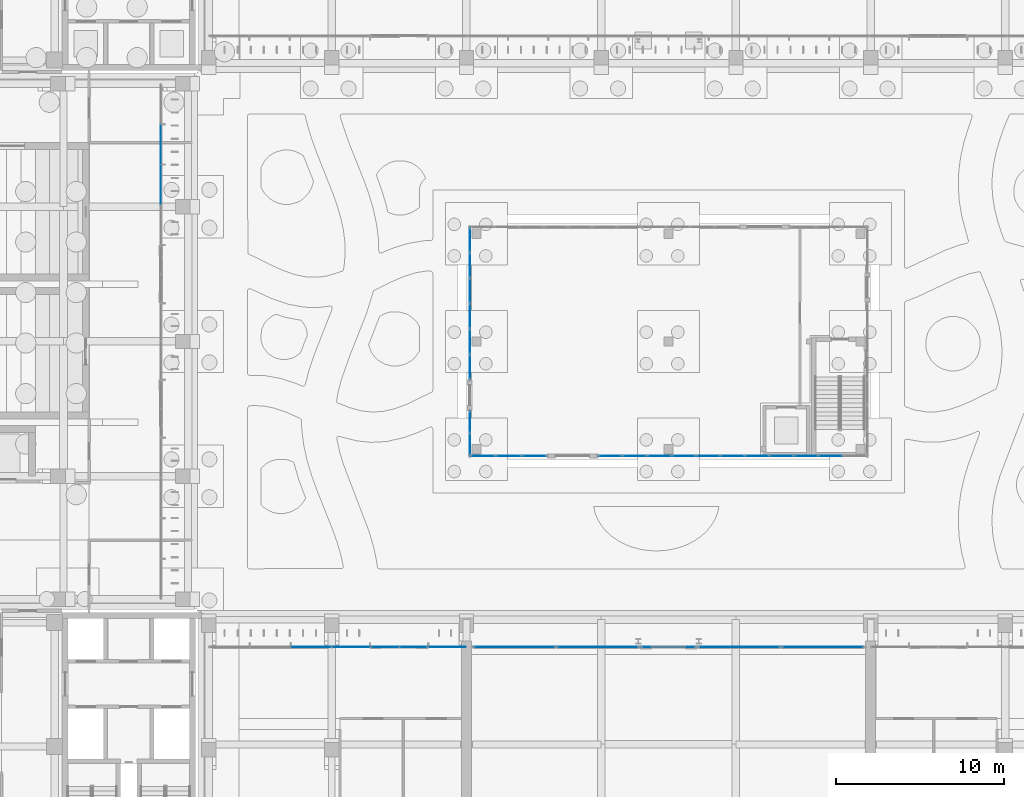
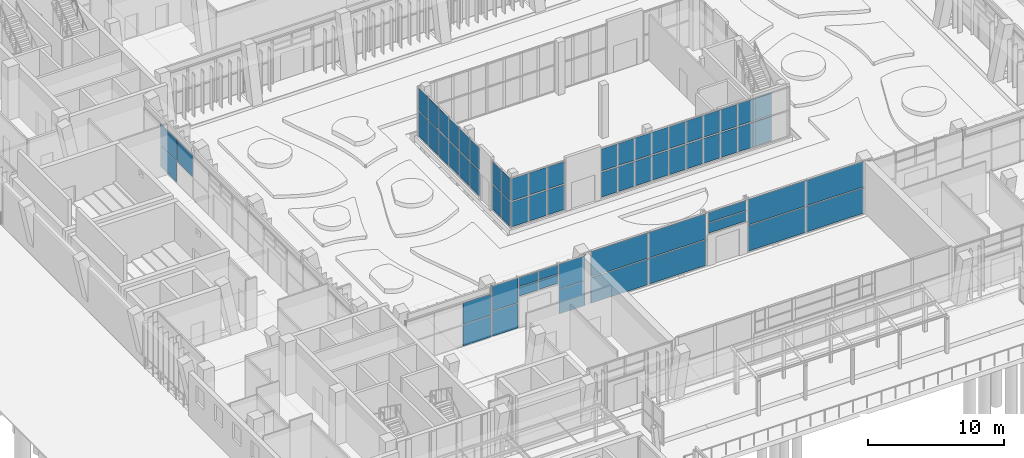
# One storey, part 96 of 144: 65 plates, 12 elements without a shape of their own.
"""IFC4 building model written with IfcOpenShell, lengths in metres."""

from ifc_helpers import new_model, si_unit, direction, frame, origin, origin_2d, place, context, subcontext, project, spatial, rectangle, extrude, material, layer, layer_set, type_object, element, aggregate, save


model = new_model("IFC4")

# Units and contexts
model_context = context("Model", 3, precision=1e-05, world=origin(), true_north=direction((0.0, 1.0)))
body_context = subcontext(model_context, "Body", "Model", "MODEL_VIEW")
ifc_project = project(units=[si_unit("LENGTHUNIT", "METRE"), si_unit("AREAUNIT", "SQUARE_METRE"), si_unit("VOLUMEUNIT", "CUBIC_METRE"), si_unit("PLANEANGLEUNIT", "RADIAN"), si_unit("MASSUNIT", "GRAM", prefix="KILO")], contexts=[model_context])

# Site, building, storey
site_placement = place(None, origin())
site = spatial("IfcSite", under=ifc_project, at=site_placement, CompositionType="ELEMENT")
building_placement = place(site_placement, origin())
building = spatial("IfcBuilding", under=site, at=building_placement, Name="Lantern Court Media Centre", CompositionType="ELEMENT")
storey_placement = place(building_placement, origin())
storey = spatial("IfcBuildingStorey", under=building, at=storey_placement, Name="L00", CompositionType="ELEMENT", Elevation=0.0)

# Curtain wall, plates
ifc_material_1 = material(Name="Curtain wall bay 2400")
curtain_wall_type_1 = type_object("IfcCurtainWallType", Name="Curtain wall bay 2400", PredefinedType="NOTDEFINED", material=ifc_material_1)
curtain_wall_1_placement = place(storey_placement, origin())
curtain_wall_1 = element("IfcCurtainWall", 1, at=curtain_wall_1_placement, inside=storey, type_object=curtain_wall_type_1, Name="Curtain wall S inner L00", PredefinedType="NOTDEFINED")
ifc_material_2 = material(Name="Low-iron double glazed unit glass", Category="glass")
ifc_layer_1 = layer(ifc_material_2, 0.02392578125)
ifc_layer_set_1 = layer_set([ifc_layer_1], Name="Low-iron double glazed unit glass")
plate_type_1 = type_object("IfcPlateType", Name="Curtain wall glazing unit 24", PredefinedType="CURTAIN_PANEL", material=ifc_layer_set_1)
plate_1_placement = place(storey_placement, frame((30.770751953125, 61.85009765625, 0.050048828125), z_axis=(0.0, 0.0, 1.0), x_axis=(1.0, 0.0, 0.0)))
plate_1 = element("IfcPlate", 2, at=plate_1_placement, type_object=plate_type_1, Name="CW2 panel 3.1", PredefinedType="CURTAIN_PANEL", context=body_context, shape_type="SweptSolid", body=[
    extrude(rectangle(XDim=2.3583984375, YDim=0.02392578125, at=origin_2d()), origin(), (0.0, 0.0, 1.0), 1.89990234375),
])
plate_2_placement = place(storey_placement, frame((30.770751953125, 61.85009765625, 2.0), z_axis=(0.0, 0.0, 1.0), x_axis=(1.0, 0.0, 0.0)))
plate_2 = element("IfcPlate", 3, at=plate_2_placement, type_object=plate_type_1, Name="CW2 panel 3.2", PredefinedType="CURTAIN_PANEL", context=body_context, shape_type="SweptSolid", body=[
    extrude(rectangle(XDim=2.3583984375, YDim=0.02392578125, at=origin_2d()), origin(), (0.0, 0.0, 1.0), 1.89990234375),
])
aggregate(curtain_wall_1, [plate_1, plate_2])

curtain_wall_2_placement = place(storey_placement, origin())
curtain_wall_2 = element("IfcCurtainWall", 4, at=curtain_wall_2_placement, inside=storey, type_object=curtain_wall_type_1, Name="Curtain wall S inner L00", PredefinedType="NOTDEFINED")
plate_3_placement = place(storey_placement, frame((33.14990234375, 61.85009765625, 0.0498046875), z_axis=(0.0, 0.0, 1.0), x_axis=(1.0, 0.0, 0.0)))
plate_3 = element("IfcPlate", 5, at=plate_3_placement, type_object=plate_type_1, Name="CW2 panel 1.1", PredefinedType="CURTAIN_PANEL", context=body_context, shape_type="SweptSolid", body=[
    extrude(rectangle(XDim=2.199951171875, YDim=0.02392578125, at=origin_2d()), origin(), (0.0, 0.0, 1.0), 2.215087890625),
])
plate_4_placement = place(storey_placement, frame((33.14990234375, 61.85009765625, 2.31494140625), z_axis=(0.0, 0.0, 1.0), x_axis=(1.0, 0.0, 0.0)))
plate_4 = element("IfcPlate", 6, at=plate_4_placement, type_object=plate_type_1, Name="CW2 panel 1.2", PredefinedType="CURTAIN_PANEL", context=body_context, shape_type="SweptSolid", body=[
    extrude(rectangle(XDim=2.199951171875, YDim=0.02392578125, at=origin_2d()), origin(), (0.0, 0.0, 1.0), 2.215087890625),
])
aggregate(curtain_wall_2, [plate_3, plate_4])

curtain_wall_3_placement = place(storey_placement, origin())
curtain_wall_3 = element("IfcCurtainWall", 7, at=curtain_wall_3_placement, inside=storey, type_object=curtain_wall_type_1, Name="Curtain wall S inner L00", PredefinedType="NOTDEFINED")
plate_5_placement = place(storey_placement, frame((38.85009765625, 61.85009765625, 0.0498046875), z_axis=(0.0, 0.0, 1.0), x_axis=(1.0, 0.0, 0.0)))
plate_5 = element("IfcPlate", 8, at=plate_5_placement, type_object=plate_type_1, Name="CW2 panel 1.1", PredefinedType="CURTAIN_PANEL", context=body_context, shape_type="SweptSolid", body=[
    extrude(rectangle(XDim=2.199951171875, YDim=0.02392578125, at=origin_2d()), origin(), (0.0, 0.0, 1.0), 2.215087890625),
])
plate_6_placement = place(storey_placement, frame((38.85009765625, 61.85009765625, 2.31494140625), z_axis=(0.0, 0.0, 1.0), x_axis=(1.0, 0.0, 0.0)))
plate_6 = element("IfcPlate", 9, at=plate_6_placement, type_object=plate_type_1, Name="CW2 panel 1.2", PredefinedType="CURTAIN_PANEL", context=body_context, shape_type="SweptSolid", body=[
    extrude(rectangle(XDim=2.199951171875, YDim=0.02392578125, at=origin_2d()), origin(), (0.0, 0.0, 1.0), 2.215087890625),
])
aggregate(curtain_wall_3, [plate_5, plate_6])

curtain_wall_4_placement = place(storey_placement, origin())
curtain_wall_4 = element("IfcCurtainWall", 10, at=curtain_wall_4_placement, inside=storey, type_object=curtain_wall_type_1, Name="Curtain wall W inner L00", PredefinedType="NOTDEFINED")
plate_7_placement = place(storey_placement, frame((21.85009765625, 89.300048828125, 2.0), z_axis=(0.0, 0.0, 1.0), x_axis=(0.0, 1.0, 0.0)))
plate_7 = element("IfcPlate", 11, at=plate_7_placement, type_object=plate_type_1, Name="CW2 panel 2.2", PredefinedType="CURTAIN_PANEL", context=body_context, shape_type="SweptSolid", body=[
    extrude(rectangle(XDim=2.35009765625, YDim=0.02392578125, at=origin_2d()), origin(), (0.0, 0.0, 1.0), 1.89990234375),
])
plate_8_placement = place(storey_placement, frame((21.85009765625, 91.699951171875, 0.050048828125), z_axis=(0.0, 0.0, 1.0), x_axis=(0.0, 1.0, 0.0)))
plate_8 = element("IfcPlate", 12, at=plate_8_placement, type_object=plate_type_1, Name="CW2 panel 3.1", PredefinedType="CURTAIN_PANEL", context=body_context, shape_type="SweptSolid", body=[
    extrude(rectangle(XDim=2.35009765625, YDim=0.02392578125, at=origin_2d()), origin(), (0.0, 0.0, 1.0), 1.89990234375),
])
plate_9_placement = place(storey_placement, frame((21.85009765625, 91.699951171875, 2.0), z_axis=(0.0, 0.0, 1.0), x_axis=(0.0, 1.0, 0.0)))
plate_9 = element("IfcPlate", 13, at=plate_9_placement, type_object=plate_type_1, Name="CW2 panel 3.2", PredefinedType="CURTAIN_PANEL", context=body_context, shape_type="SweptSolid", body=[
    extrude(rectangle(XDim=2.35009765625, YDim=0.02392578125, at=origin_2d()), origin(), (0.0, 0.0, 1.0), 1.89990234375),
])
aggregate(curtain_wall_4, [plate_7, plate_8, plate_9])

ifc_material_3 = material(Name="Curtain wall bay 1700")
curtain_wall_type_2 = type_object("IfcCurtainWallType", Name="Curtain wall bay 1700", PredefinedType="NOTDEFINED", material=ifc_material_3)
curtain_wall_5_placement = place(storey_placement, origin())
curtain_wall_5 = element("IfcCurtainWall", 14, at=curtain_wall_5_placement, inside=storey, type_object=curtain_wall_type_2, Name="Curtain wall S inner L00", PredefinedType="NOTDEFINED")
ifc_layer_2 = layer(ifc_material_2, 0.028076171875)
ifc_layer_set_2 = layer_set([ifc_layer_2], Name="Low-iron double glazed unit glass")
plate_type_2 = type_object("IfcPlateType", Name="Curtain wall glazing unit 28", PredefinedType="CURTAIN_PANEL", material=ifc_layer_set_2)
plate_10_placement = place(storey_placement, frame((35.1650390625, 61.85009765625, 2.85986328125), z_axis=(0.0, 0.0, 1.0), x_axis=(1.0, 0.0, 0.0)))
plate_10 = element("IfcPlate", 15, at=plate_10_placement, type_object=plate_type_2, Name="CW4 panel 1.1", PredefinedType="CURTAIN_PANEL", context=body_context, shape_type="SweptSolid", body=[
    extrude(rectangle(XDim=1.610107421875, YDim=0.028076171875, at=origin_2d()), origin(), (0.0, 0.0, 1.0), 0.800048828125),
])
plate_11_placement = place(storey_placement, frame((35.1650390625, 61.85009765625, 3.72021484375), z_axis=(0.0, 0.0, 1.0), x_axis=(1.0, 0.0, 0.0)))
plate_11 = element("IfcPlate", 16, at=plate_11_placement, type_object=plate_type_2, Name="CW4 panel 1.2", PredefinedType="CURTAIN_PANEL", context=body_context, shape_type="SweptSolid", body=[
    extrude(rectangle(XDim=1.610107421875, YDim=0.028076171875, at=origin_2d()), origin(), (0.0, 0.0, 1.0), 0.800048828125),
])
plate_12_placement = place(storey_placement, frame((36.8349609375, 61.85009765625, 2.85986328125), z_axis=(0.0, 0.0, 1.0), x_axis=(1.0, 0.0, 0.0)))
plate_12 = element("IfcPlate", 17, at=plate_12_placement, type_object=plate_type_2, Name="CW4 panel 2.1", PredefinedType="CURTAIN_PANEL", context=body_context, shape_type="SweptSolid", body=[
    extrude(rectangle(XDim=1.610107421875, YDim=0.028076171875, at=origin_2d()), origin(), (0.0, 0.0, 1.0), 0.800048828125),
])
plate_13_placement = place(storey_placement, frame((36.8349609375, 61.85009765625, 3.72021484375), z_axis=(0.0, 0.0, 1.0), x_axis=(1.0, 0.0, 0.0)))
plate_13 = element("IfcPlate", 18, at=plate_13_placement, type_object=plate_type_2, Name="CW4 panel 2.2", PredefinedType="CURTAIN_PANEL", context=body_context, shape_type="SweptSolid", body=[
    extrude(rectangle(XDim=1.610107421875, YDim=0.028076171875, at=origin_2d()), origin(), (0.0, 0.0, 1.0), 0.800048828125),
])
aggregate(curtain_wall_5, [plate_10, plate_11, plate_12, plate_13])

ifc_material_4 = material(Name="Curtain wall bay 4000")
curtain_wall_type_3 = type_object("IfcCurtainWallType", Name="Curtain wall bay 4000", PredefinedType="NOTDEFINED", material=ifc_material_4)
curtain_wall_6_placement = place(storey_placement, origin())
curtain_wall_6 = element("IfcCurtainWall", 19, at=curtain_wall_6_placement, inside=storey, type_object=curtain_wall_type_3, Name="Curtain wall S inner L00", PredefinedType="NOTDEFINED")
ifc_material_5 = material(Name="Laminated low-iron glass", Category="glass")
ifc_layer_3 = layer(ifc_material_5, 0.0400390625)
ifc_layer_set_3 = layer_set([ifc_layer_3], Name="Laminated low-iron glass")
plate_type_3 = type_object("IfcPlateType", Name="Curtain wall glazing unit 40", PredefinedType="CURTAIN_PANEL", material=ifc_layer_set_3)
plate_14_placement = place(storey_placement, frame((42.857421875, 61.85009765625, 0.080078125), z_axis=(0.0, 0.0, 1.0), x_axis=(1.0, 0.0, 0.0)))
plate_14 = element("IfcPlate", 20, at=plate_14_placement, type_object=plate_type_3, Name="CW3 panel 1.1", PredefinedType="CURTAIN_PANEL", context=body_context, shape_type="SweptSolid", body=[
    extrude(rectangle(XDim=4.85498046875, YDim=0.0400390625, at=origin_2d()), origin(), (0.0, 0.0, 1.0), 2.280029296875),
])
plate_15_placement = place(storey_placement, frame((42.857421875, 61.85009765625, 2.43994140625), z_axis=(0.0, 0.0, 1.0), x_axis=(1.0, 0.0, 0.0)))
plate_15 = element("IfcPlate", 21, at=plate_15_placement, type_object=plate_type_3, Name="CW3 panel 1.2", PredefinedType="CURTAIN_PANEL", context=body_context, shape_type="SweptSolid", body=[
    extrude(rectangle(XDim=4.85498046875, YDim=0.0400390625, at=origin_2d()), origin(), (0.0, 0.0, 1.0), 2.280029296875),
])
plate_16_placement = place(storey_placement, frame((47.79248046875, 61.85009765625, 0.080078125), z_axis=(0.0, 0.0, 1.0), x_axis=(1.0, 0.0, 0.0)))
plate_16 = element("IfcPlate", 22, at=plate_16_placement, type_object=plate_type_3, Name="CW3 panel 2.1", PredefinedType="CURTAIN_PANEL", context=body_context, shape_type="SweptSolid", body=[
    extrude(rectangle(XDim=4.85498046875, YDim=0.0400390625, at=origin_2d()), origin(), (0.0, 0.0, 1.0), 2.280029296875),
])
plate_17_placement = place(storey_placement, frame((47.79248046875, 61.85009765625, 2.43994140625), z_axis=(0.0, 0.0, 1.0), x_axis=(1.0, 0.0, 0.0)))
plate_17 = element("IfcPlate", 23, at=plate_17_placement, type_object=plate_type_3, Name="CW3 panel 2.2", PredefinedType="CURTAIN_PANEL", context=body_context, shape_type="SweptSolid", body=[
    extrude(rectangle(XDim=4.85498046875, YDim=0.0400390625, at=origin_2d()), origin(), (0.0, 0.0, 1.0), 2.280029296875),
])
aggregate(curtain_wall_6, [plate_14, plate_15, plate_16, plate_17])

curtain_wall_7_placement = place(storey_placement, origin())
curtain_wall_7 = element("IfcCurtainWall", 24, at=curtain_wall_7_placement, inside=storey, type_object=curtain_wall_type_3, Name="Curtain wall S inner L00", PredefinedType="NOTDEFINED")
plate_18_placement = place(storey_placement, frame((56.20751953125, 61.85009765625, 0.080078125), z_axis=(0.0, 0.0, 1.0), x_axis=(1.0, 0.0, 0.0)))
plate_18 = element("IfcPlate", 25, at=plate_18_placement, type_object=plate_type_3, Name="CW3 panel 1.1", PredefinedType="CURTAIN_PANEL", context=body_context, shape_type="SweptSolid", body=[
    extrude(rectangle(XDim=4.85498046875, YDim=0.0400390625, at=origin_2d()), origin(), (0.0, 0.0, 1.0), 2.280029296875),
])
plate_19_placement = place(storey_placement, frame((56.20751953125, 61.85009765625, 2.43994140625), z_axis=(0.0, 0.0, 1.0), x_axis=(1.0, 0.0, 0.0)))
plate_19 = element("IfcPlate", 26, at=plate_19_placement, type_object=plate_type_3, Name="CW3 panel 1.2", PredefinedType="CURTAIN_PANEL", context=body_context, shape_type="SweptSolid", body=[
    extrude(rectangle(XDim=4.85498046875, YDim=0.0400390625, at=origin_2d()), origin(), (0.0, 0.0, 1.0), 2.280029296875),
])
plate_20_placement = place(storey_placement, frame((61.142578125, 61.85009765625, 0.080078125), z_axis=(0.0, 0.0, 1.0), x_axis=(1.0, 0.0, 0.0)))
plate_20 = element("IfcPlate", 27, at=plate_20_placement, type_object=plate_type_3, Name="CW3 panel 2.1", PredefinedType="CURTAIN_PANEL", context=body_context, shape_type="SweptSolid", body=[
    extrude(rectangle(XDim=4.85498046875, YDim=0.0400390625, at=origin_2d()), origin(), (0.0, 0.0, 1.0), 2.280029296875),
])
plate_21_placement = place(storey_placement, frame((61.142578125, 61.85009765625, 2.43994140625), z_axis=(0.0, 0.0, 1.0), x_axis=(1.0, 0.0, 0.0)))
plate_21 = element("IfcPlate", 28, at=plate_21_placement, type_object=plate_type_3, Name="CW3 panel 2.2", PredefinedType="CURTAIN_PANEL", context=body_context, shape_type="SweptSolid", body=[
    extrude(rectangle(XDim=4.85498046875, YDim=0.0400390625, at=origin_2d()), origin(), (0.0, 0.0, 1.0), 2.280029296875),
])
aggregate(curtain_wall_7, [plate_18, plate_19, plate_20, plate_21])

curtain_wall_8_placement = place(storey_placement, origin())
curtain_wall_8 = element("IfcCurtainWall", 29, at=curtain_wall_8_placement, inside=storey, type_object=curtain_wall_type_3, Name="Curtain wall S inner L00", PredefinedType="NOTDEFINED")
plate_22_placement = place(storey_placement, frame((52.0, 61.85009765625, 2.880126953125), z_axis=(0.0, 0.0, 1.0), x_axis=(1.0, 0.0, 0.0)))
plate_22 = element("IfcPlate", 30, at=plate_22_placement, type_object=plate_type_3, Name="CW3 panel 1.1", PredefinedType="CURTAIN_PANEL", context=body_context, shape_type="SweptSolid", body=[
    extrude(rectangle(XDim=3.239990234375, YDim=0.0400390625, at=origin_2d()), origin(), (0.0, 0.0, 1.0), 0.8798828125),
])
plate_23_placement = place(storey_placement, frame((52.0, 61.85009765625, 3.840087890625), z_axis=(0.0, 0.0, 1.0), x_axis=(1.0, 0.0, 0.0)))
plate_23 = element("IfcPlate", 31, at=plate_23_placement, type_object=plate_type_3, Name="CW3 panel 1.2", PredefinedType="CURTAIN_PANEL", context=body_context, shape_type="SweptSolid", body=[
    extrude(rectangle(XDim=3.239990234375, YDim=0.0400390625, at=origin_2d()), origin(), (0.0, 0.0, 1.0), 0.8798828125),
])
aggregate(curtain_wall_8, [plate_22, plate_23])

ifc_material_6 = material(Name="Aluminium and glass", Category="aluminium")
ifc_layer_4 = layer(ifc_material_6, 0.14990234375)
ifc_layer_set_4 = layer_set([ifc_layer_4], Name="Aluminium and glass")
curtain_wall_type_4 = type_object("IfcCurtainWallType", Name="Hall lancet glazing", PredefinedType="NOTDEFINED", material=ifc_layer_set_4)
curtain_wall_9_placement = place(storey_placement, origin())
curtain_wall_9 = element("IfcCurtainWall", 32, at=curtain_wall_9_placement, inside=storey, type_object=curtain_wall_type_4, Name="Press box glazing S 1", PredefinedType="NOTDEFINED")
ifc_material_7 = material(Name="Laminated glass 6+6", Category="glass")
ifc_layer_5 = layer(ifc_material_7, 0.028076171875)
ifc_layer_set_5 = layer_set([ifc_layer_5], Name="Laminated glass 6+6")
plate_type_4 = type_object("IfcPlateType", Name="HP", PredefinedType="CURTAIN_PANEL", material=ifc_layer_set_5)
plate_24_placement = place(storey_placement, frame((40.981689453125, 73.199951171875, 0.1201171875), z_axis=(0.0, 0.0, 1.0), x_axis=(1.0, 0.0, 0.0)))
plate_24 = element("IfcPlate", 33, at=plate_24_placement, type_object=plate_type_4, Name="HCW-PS1 panel 1.1", PredefinedType="CURTAIN_PANEL", context=body_context, shape_type="SweptSolid", body=[
    extrude(rectangle(XDim=1.443359375, YDim=0.028076171875, at=origin_2d()), origin(), (0.0, 0.0, 1.0), 2.219970703125),
])
plate_25_placement = place(storey_placement, frame((40.981689453125, 73.199951171875, 2.4599609375), z_axis=(0.0, 0.0, 1.0), x_axis=(1.0, 0.0, 0.0)))
plate_25 = element("IfcPlate", 34, at=plate_25_placement, type_object=plate_type_4, Name="HCW-PS1 panel 1.2", PredefinedType="CURTAIN_PANEL", context=body_context, shape_type="SweptSolid", body=[
    extrude(rectangle(XDim=1.443359375, YDim=0.028076171875, at=origin_2d()), origin(), (0.0, 0.0, 1.0), 1.969970703125),
])
plate_26_placement = place(storey_placement, frame((42.5, 73.199951171875, 0.1201171875), z_axis=(0.0, 0.0, 1.0), x_axis=(1.0, 0.0, 0.0)))
plate_26 = element("IfcPlate", 35, at=plate_26_placement, type_object=plate_type_4, Name="HCW-PS1 panel 2.1", PredefinedType="CURTAIN_PANEL", context=body_context, shape_type="SweptSolid", body=[
    extrude(rectangle(XDim=1.473388671875, YDim=0.028076171875, at=origin_2d()), origin(), (0.0, 0.0, 1.0), 2.219970703125),
])
plate_27_placement = place(storey_placement, frame((42.5, 73.199951171875, 2.4599609375), z_axis=(0.0, 0.0, 1.0), x_axis=(1.0, 0.0, 0.0)))
plate_27 = element("IfcPlate", 36, at=plate_27_placement, type_object=plate_type_4, Name="HCW-PS1 panel 2.2", PredefinedType="CURTAIN_PANEL", context=body_context, shape_type="SweptSolid", body=[
    extrude(rectangle(XDim=1.473388671875, YDim=0.028076171875, at=origin_2d()), origin(), (0.0, 0.0, 1.0), 1.969970703125),
])
plate_28_placement = place(storey_placement, frame((44.018310546875, 73.199951171875, 0.1201171875), z_axis=(0.0, 0.0, 1.0), x_axis=(1.0, 0.0, 0.0)))
plate_28 = element("IfcPlate", 37, at=plate_28_placement, type_object=plate_type_4, Name="HCW-PS1 panel 3.1", PredefinedType="CURTAIN_PANEL", context=body_context, shape_type="SweptSolid", body=[
    extrude(rectangle(XDim=1.443359375, YDim=0.028076171875, at=origin_2d()), origin(), (0.0, 0.0, 1.0), 2.219970703125),
])
plate_29_placement = place(storey_placement, frame((44.018310546875, 73.199951171875, 2.4599609375), z_axis=(0.0, 0.0, 1.0), x_axis=(1.0, 0.0, 0.0)))
plate_29 = element("IfcPlate", 38, at=plate_29_placement, type_object=plate_type_4, Name="HCW-PS1 panel 3.2", PredefinedType="CURTAIN_PANEL", context=body_context, shape_type="SweptSolid", body=[
    extrude(rectangle(XDim=1.443359375, YDim=0.028076171875, at=origin_2d()), origin(), (0.0, 0.0, 1.0), 1.969970703125),
])
aggregate(curtain_wall_9, [plate_24, plate_25, plate_26, plate_27, plate_28, plate_29])

curtain_wall_10_placement = place(storey_placement, origin())
curtain_wall_10 = element("IfcCurtainWall", 39, at=curtain_wall_10_placement, inside=storey, type_object=curtain_wall_type_4, Name="Press box glazing S 2", PredefinedType="NOTDEFINED")
plate_30_placement = place(storey_placement, frame((48.542236328125, 73.199951171875, 0.1201171875), z_axis=(0.0, 0.0, 1.0), x_axis=(1.0, 0.0, 0.0)))
plate_30 = element("IfcPlate", 40, at=plate_30_placement, type_object=plate_type_4, Name="HCW-PS2 panel 1.1", PredefinedType="CURTAIN_PANEL", context=body_context, shape_type="SweptSolid", body=[
    extrude(rectangle(XDim=1.364501953125, YDim=0.028076171875, at=origin_2d()), origin(), (0.0, 0.0, 1.0), 2.219970703125),
])
plate_31_placement = place(storey_placement, frame((48.542236328125, 73.199951171875, 2.4599609375), z_axis=(0.0, 0.0, 1.0), x_axis=(1.0, 0.0, 0.0)))
plate_31 = element("IfcPlate", 41, at=plate_31_placement, type_object=plate_type_4, Name="HCW-PS2 panel 1.2", PredefinedType="CURTAIN_PANEL", context=body_context, shape_type="SweptSolid", body=[
    extrude(rectangle(XDim=1.364501953125, YDim=0.028076171875, at=origin_2d()), origin(), (0.0, 0.0, 1.0), 1.969970703125),
])
plate_32_placement = place(storey_placement, frame((49.98193359375, 73.199951171875, 0.1201171875), z_axis=(0.0, 0.0, 1.0), x_axis=(1.0, 0.0, 0.0)))
plate_32 = element("IfcPlate", 42, at=plate_32_placement, type_object=plate_type_4, Name="HCW-PS2 panel 2.1", PredefinedType="CURTAIN_PANEL", context=body_context, shape_type="SweptSolid", body=[
    extrude(rectangle(XDim=1.39453125, YDim=0.028076171875, at=origin_2d()), origin(), (0.0, 0.0, 1.0), 2.219970703125),
])
plate_33_placement = place(storey_placement, frame((49.98193359375, 73.199951171875, 2.4599609375), z_axis=(0.0, 0.0, 1.0), x_axis=(1.0, 0.0, 0.0)))
plate_33 = element("IfcPlate", 43, at=plate_33_placement, type_object=plate_type_4, Name="HCW-PS2 panel 2.2", PredefinedType="CURTAIN_PANEL", context=body_context, shape_type="SweptSolid", body=[
    extrude(rectangle(XDim=1.39453125, YDim=0.028076171875, at=origin_2d()), origin(), (0.0, 0.0, 1.0), 1.969970703125),
])
plate_34_placement = place(storey_placement, frame((51.436279296875, 73.199951171875, 0.1201171875), z_axis=(0.0, 0.0, 1.0), x_axis=(1.0, 0.0, 0.0)))
plate_34 = element("IfcPlate", 44, at=plate_34_placement, type_object=plate_type_4, Name="HCW-PS2 panel 3.1", PredefinedType="CURTAIN_PANEL", context=body_context, shape_type="SweptSolid", body=[
    extrude(rectangle(XDim=1.39453125, YDim=0.028076171875, at=origin_2d()), origin(), (0.0, 0.0, 1.0), 2.219970703125),
])
plate_35_placement = place(storey_placement, frame((51.436279296875, 73.199951171875, 2.4599609375), z_axis=(0.0, 0.0, 1.0), x_axis=(1.0, 0.0, 0.0)))
plate_35 = element("IfcPlate", 45, at=plate_35_placement, type_object=plate_type_4, Name="HCW-PS2 panel 3.2", PredefinedType="CURTAIN_PANEL", context=body_context, shape_type="SweptSolid", body=[
    extrude(rectangle(XDim=1.39453125, YDim=0.028076171875, at=origin_2d()), origin(), (0.0, 0.0, 1.0), 1.969970703125),
])
plate_36_placement = place(storey_placement, frame((52.890869140625, 73.199951171875, 0.1201171875), z_axis=(0.0, 0.0, 1.0), x_axis=(1.0, 0.0, 0.0)))
plate_36 = element("IfcPlate", 46, at=plate_36_placement, type_object=plate_type_4, Name="HCW-PS2 panel 4.1", PredefinedType="CURTAIN_PANEL", context=body_context, shape_type="SweptSolid", body=[
    extrude(rectangle(XDim=1.39453125, YDim=0.028076171875, at=origin_2d()), origin(), (0.0, 0.0, 1.0), 2.219970703125),
])
plate_37_placement = place(storey_placement, frame((52.890869140625, 73.199951171875, 2.4599609375), z_axis=(0.0, 0.0, 1.0), x_axis=(1.0, 0.0, 0.0)))
plate_37 = element("IfcPlate", 47, at=plate_37_placement, type_object=plate_type_4, Name="HCW-PS2 panel 4.2", PredefinedType="CURTAIN_PANEL", context=body_context, shape_type="SweptSolid", body=[
    extrude(rectangle(XDim=1.39453125, YDim=0.028076171875, at=origin_2d()), origin(), (0.0, 0.0, 1.0), 1.969970703125),
])
plate_38_placement = place(storey_placement, frame((54.345458984375, 73.199951171875, 0.1201171875), z_axis=(0.0, 0.0, 1.0), x_axis=(1.0, 0.0, 0.0)))
plate_38 = element("IfcPlate", 48, at=plate_38_placement, type_object=plate_type_4, Name="HCW-PS2 panel 5.1", PredefinedType="CURTAIN_PANEL", context=body_context, shape_type="SweptSolid", body=[
    extrude(rectangle(XDim=1.39453125, YDim=0.028076171875, at=origin_2d()), origin(), (0.0, 0.0, 1.0), 2.219970703125),
])
plate_39_placement = place(storey_placement, frame((54.345458984375, 73.199951171875, 2.4599609375), z_axis=(0.0, 0.0, 1.0), x_axis=(1.0, 0.0, 0.0)))
plate_39 = element("IfcPlate", 49, at=plate_39_placement, type_object=plate_type_4, Name="HCW-PS2 panel 5.2", PredefinedType="CURTAIN_PANEL", context=body_context, shape_type="SweptSolid", body=[
    extrude(rectangle(XDim=1.39453125, YDim=0.028076171875, at=origin_2d()), origin(), (0.0, 0.0, 1.0), 1.969970703125),
])
plate_40_placement = place(storey_placement, frame((55.800048828125, 73.199951171875, 0.1201171875), z_axis=(0.0, 0.0, 1.0), x_axis=(1.0, 0.0, 0.0)))
plate_40 = element("IfcPlate", 50, at=plate_40_placement, type_object=plate_type_4, Name="HCW-PS2 panel 6.1", PredefinedType="CURTAIN_PANEL", context=body_context, shape_type="SweptSolid", body=[
    extrude(rectangle(XDim=1.39453125, YDim=0.028076171875, at=origin_2d()), origin(), (0.0, 0.0, 1.0), 2.219970703125),
])
plate_41_placement = place(storey_placement, frame((55.800048828125, 73.199951171875, 2.4599609375), z_axis=(0.0, 0.0, 1.0), x_axis=(1.0, 0.0, 0.0)))
plate_41 = element("IfcPlate", 51, at=plate_41_placement, type_object=plate_type_4, Name="HCW-PS2 panel 6.2", PredefinedType="CURTAIN_PANEL", context=body_context, shape_type="SweptSolid", body=[
    extrude(rectangle(XDim=1.39453125, YDim=0.028076171875, at=origin_2d()), origin(), (0.0, 0.0, 1.0), 1.969970703125),
])
plate_42_placement = place(storey_placement, frame((57.254638671875, 73.199951171875, 0.1201171875), z_axis=(0.0, 0.0, 1.0), x_axis=(1.0, 0.0, 0.0)))
plate_42 = element("IfcPlate", 52, at=plate_42_placement, type_object=plate_type_4, Name="HCW-PS2 panel 7.1", PredefinedType="CURTAIN_PANEL", context=body_context, shape_type="SweptSolid", body=[
    extrude(rectangle(XDim=1.39453125, YDim=0.028076171875, at=origin_2d()), origin(), (0.0, 0.0, 1.0), 2.219970703125),
])
plate_43_placement = place(storey_placement, frame((57.254638671875, 73.199951171875, 2.4599609375), z_axis=(0.0, 0.0, 1.0), x_axis=(1.0, 0.0, 0.0)))
plate_43 = element("IfcPlate", 53, at=plate_43_placement, type_object=plate_type_4, Name="HCW-PS2 panel 7.2", PredefinedType="CURTAIN_PANEL", context=body_context, shape_type="SweptSolid", body=[
    extrude(rectangle(XDim=1.39453125, YDim=0.028076171875, at=origin_2d()), origin(), (0.0, 0.0, 1.0), 1.969970703125),
])
plate_44_placement = place(storey_placement, frame((58.708984375, 73.199951171875, 0.1201171875), z_axis=(0.0, 0.0, 1.0), x_axis=(1.0, 0.0, 0.0)))
plate_44 = element("IfcPlate", 54, at=plate_44_placement, type_object=plate_type_4, Name="HCW-PS2 panel 8.1", PredefinedType="CURTAIN_PANEL", context=body_context, shape_type="SweptSolid", body=[
    extrude(rectangle(XDim=1.39453125, YDim=0.028076171875, at=origin_2d()), origin(), (0.0, 0.0, 1.0), 2.219970703125),
])
plate_45_placement = place(storey_placement, frame((58.708984375, 73.199951171875, 2.4599609375), z_axis=(0.0, 0.0, 1.0), x_axis=(1.0, 0.0, 0.0)))
plate_45 = element("IfcPlate", 55, at=plate_45_placement, type_object=plate_type_4, Name="HCW-PS2 panel 8.2", PredefinedType="CURTAIN_PANEL", context=body_context, shape_type="SweptSolid", body=[
    extrude(rectangle(XDim=1.39453125, YDim=0.028076171875, at=origin_2d()), origin(), (0.0, 0.0, 1.0), 1.969970703125),
])
plate_46_placement = place(storey_placement, frame((60.16357421875, 73.199951171875, 0.1201171875), z_axis=(0.0, 0.0, 1.0), x_axis=(1.0, 0.0, 0.0)))
plate_46 = element("IfcPlate", 56, at=plate_46_placement, type_object=plate_type_4, Name="HCW-PS2 panel 9.1", PredefinedType="CURTAIN_PANEL", context=body_context, shape_type="SweptSolid", body=[
    extrude(rectangle(XDim=1.39453125, YDim=0.028076171875, at=origin_2d()), origin(), (0.0, 0.0, 1.0), 2.219970703125),
])
plate_47_placement = place(storey_placement, frame((60.16357421875, 73.199951171875, 2.4599609375), z_axis=(0.0, 0.0, 1.0), x_axis=(1.0, 0.0, 0.0)))
plate_47 = element("IfcPlate", 57, at=plate_47_placement, type_object=plate_type_4, Name="HCW-PS2 panel 9.2", PredefinedType="CURTAIN_PANEL", context=body_context, shape_type="SweptSolid", body=[
    extrude(rectangle(XDim=1.39453125, YDim=0.028076171875, at=origin_2d()), origin(), (0.0, 0.0, 1.0), 1.969970703125),
])
plate_48_placement = place(storey_placement, frame((61.6181640625, 73.199951171875, 0.1201171875), z_axis=(0.0, 0.0, 1.0), x_axis=(1.0, 0.0, 0.0)))
plate_48 = element("IfcPlate", 58, at=plate_48_placement, type_object=plate_type_4, Name="HCW-PS2 panel 10.1", PredefinedType="CURTAIN_PANEL", context=body_context, shape_type="SweptSolid", body=[
    extrude(rectangle(XDim=1.39453125, YDim=0.028076171875, at=origin_2d()), origin(), (0.0, 0.0, 1.0), 2.219970703125),
])
plate_49_placement = place(storey_placement, frame((61.6181640625, 73.199951171875, 2.4599609375), z_axis=(0.0, 0.0, 1.0), x_axis=(1.0, 0.0, 0.0)))
plate_49 = element("IfcPlate", 59, at=plate_49_placement, type_object=plate_type_4, Name="HCW-PS2 panel 10.2", PredefinedType="CURTAIN_PANEL", context=body_context, shape_type="SweptSolid", body=[
    extrude(rectangle(XDim=1.39453125, YDim=0.028076171875, at=origin_2d()), origin(), (0.0, 0.0, 1.0), 1.969970703125),
])
aggregate(curtain_wall_10, [plate_30, plate_31, plate_32, plate_33, plate_34, plate_35, plate_36, plate_37, plate_38, plate_39, plate_40, plate_41, plate_42, plate_43, plate_44, plate_45, plate_46, plate_47, plate_48, plate_49])

curtain_wall_11_placement = place(storey_placement, origin())
curtain_wall_11 = element("IfcCurtainWall", 60, at=curtain_wall_11_placement, inside=storey, type_object=curtain_wall_type_4, Name="Press box glazing W 1", PredefinedType="NOTDEFINED")
plate_50_placement = place(storey_placement, frame((40.199951171875, 73.889892578125, 0.1201171875), z_axis=(0.0, 0.0, 1.0), x_axis=(0.0, 1.0, 0.0)))
plate_50 = element("IfcPlate", 61, at=plate_50_placement, type_object=plate_type_4, Name="HCW-PW1 panel 1.1", PredefinedType="CURTAIN_PANEL", context=body_context, shape_type="SweptSolid", body=[
    extrude(rectangle(XDim=1.260009765625, YDim=0.028076171875, at=origin_2d()), origin(), (0.0, 0.0, 1.0), 2.219970703125),
])
plate_51_placement = place(storey_placement, frame((40.199951171875, 73.889892578125, 2.4599609375), z_axis=(0.0, 0.0, 1.0), x_axis=(0.0, 1.0, 0.0)))
plate_51 = element("IfcPlate", 62, at=plate_51_placement, type_object=plate_type_4, Name="HCW-PW1 panel 1.2", PredefinedType="CURTAIN_PANEL", context=body_context, shape_type="SweptSolid", body=[
    extrude(rectangle(XDim=1.260009765625, YDim=0.028076171875, at=origin_2d()), origin(), (0.0, 0.0, 1.0), 1.969970703125),
])
plate_52_placement = place(storey_placement, frame((40.199951171875, 75.2099609375, 0.1201171875), z_axis=(0.0, 0.0, 1.0), x_axis=(0.0, 1.0, 0.0)))
plate_52 = element("IfcPlate", 63, at=plate_52_placement, type_object=plate_type_4, Name="HCW-PW1 panel 2.1", PredefinedType="CURTAIN_PANEL", context=body_context, shape_type="SweptSolid", body=[
    extrude(rectangle(XDim=1.260009765625, YDim=0.028076171875, at=origin_2d()), origin(), (0.0, 0.0, 1.0), 2.219970703125),
])
plate_53_placement = place(storey_placement, frame((40.199951171875, 75.2099609375, 2.4599609375), z_axis=(0.0, 0.0, 1.0), x_axis=(0.0, 1.0, 0.0)))
plate_53 = element("IfcPlate", 64, at=plate_53_placement, type_object=plate_type_4, Name="HCW-PW1 panel 2.2", PredefinedType="CURTAIN_PANEL", context=body_context, shape_type="SweptSolid", body=[
    extrude(rectangle(XDim=1.260009765625, YDim=0.028076171875, at=origin_2d()), origin(), (0.0, 0.0, 1.0), 1.969970703125),
])
aggregate(curtain_wall_11, [plate_50, plate_51, plate_52, plate_53])

curtain_wall_12_placement = place(storey_placement, origin())
curtain_wall_12 = element("IfcCurtainWall", 65, at=curtain_wall_12_placement, inside=storey, type_object=curtain_wall_type_4, Name="Press box glazing W 2", PredefinedType="NOTDEFINED")
plate_54_placement = place(storey_placement, frame((40.199951171875, 78.473388671875, 0.1201171875), z_axis=(0.0, 0.0, 1.0), x_axis=(0.0, 1.0, 0.0)))
plate_54 = element("IfcPlate", 66, at=plate_54_placement, type_object=plate_type_4, Name="HCW-PW2 panel 1.1", PredefinedType="CURTAIN_PANEL", context=body_context, shape_type="SweptSolid", body=[
    extrude(rectangle(XDim=1.4267578125, YDim=0.028076171875, at=origin_2d()), origin(), (0.0, 0.0, 1.0), 2.219970703125),
])
plate_55_placement = place(storey_placement, frame((40.199951171875, 78.473388671875, 2.4599609375), z_axis=(0.0, 0.0, 1.0), x_axis=(0.0, 1.0, 0.0)))
plate_55 = element("IfcPlate", 67, at=plate_55_placement, type_object=plate_type_4, Name="HCW-PW2 panel 1.2", PredefinedType="CURTAIN_PANEL", context=body_context, shape_type="SweptSolid", body=[
    extrude(rectangle(XDim=1.4267578125, YDim=0.028076171875, at=origin_2d()), origin(), (0.0, 0.0, 1.0), 1.969970703125),
])
plate_56_placement = place(storey_placement, frame((40.199951171875, 79.97509765625, 0.1201171875), z_axis=(0.0, 0.0, 1.0), x_axis=(0.0, 1.0, 0.0)))
plate_56 = element("IfcPlate", 68, at=plate_56_placement, type_object=plate_type_4, Name="HCW-PW2 panel 2.1", PredefinedType="CURTAIN_PANEL", context=body_context, shape_type="SweptSolid", body=[
    extrude(rectangle(XDim=1.456787109375, YDim=0.028076171875, at=origin_2d()), origin(), (0.0, 0.0, 1.0), 2.219970703125),
])
plate_57_placement = place(storey_placement, frame((40.199951171875, 79.97509765625, 2.4599609375), z_axis=(0.0, 0.0, 1.0), x_axis=(0.0, 1.0, 0.0)))
plate_57 = element("IfcPlate", 69, at=plate_57_placement, type_object=plate_type_4, Name="HCW-PW2 panel 2.2", PredefinedType="CURTAIN_PANEL", context=body_context, shape_type="SweptSolid", body=[
    extrude(rectangle(XDim=1.456787109375, YDim=0.028076171875, at=origin_2d()), origin(), (0.0, 0.0, 1.0), 1.969970703125),
])
plate_58_placement = place(storey_placement, frame((40.199951171875, 81.49169921875, 0.1201171875), z_axis=(0.0, 0.0, 1.0), x_axis=(0.0, 1.0, 0.0)))
plate_58 = element("IfcPlate", 70, at=plate_58_placement, type_object=plate_type_4, Name="HCW-PW2 panel 3.1", PredefinedType="CURTAIN_PANEL", context=body_context, shape_type="SweptSolid", body=[
    extrude(rectangle(XDim=1.456787109375, YDim=0.028076171875, at=origin_2d()), origin(), (0.0, 0.0, 1.0), 2.219970703125),
])
plate_59_placement = place(storey_placement, frame((40.199951171875, 81.49169921875, 2.4599609375), z_axis=(0.0, 0.0, 1.0), x_axis=(0.0, 1.0, 0.0)))
plate_59 = element("IfcPlate", 71, at=plate_59_placement, type_object=plate_type_4, Name="HCW-PW2 panel 3.2", PredefinedType="CURTAIN_PANEL", context=body_context, shape_type="SweptSolid", body=[
    extrude(rectangle(XDim=1.456787109375, YDim=0.028076171875, at=origin_2d()), origin(), (0.0, 0.0, 1.0), 1.969970703125),
])
plate_60_placement = place(storey_placement, frame((40.199951171875, 83.00830078125, 0.1201171875), z_axis=(0.0, 0.0, 1.0), x_axis=(0.0, 1.0, 0.0)))
plate_60 = element("IfcPlate", 72, at=plate_60_placement, type_object=plate_type_4, Name="HCW-PW2 panel 4.1", PredefinedType="CURTAIN_PANEL", context=body_context, shape_type="SweptSolid", body=[
    extrude(rectangle(XDim=1.456787109375, YDim=0.028076171875, at=origin_2d()), origin(), (0.0, 0.0, 1.0), 2.219970703125),
])
plate_61_placement = place(storey_placement, frame((40.199951171875, 83.00830078125, 2.4599609375), z_axis=(0.0, 0.0, 1.0), x_axis=(0.0, 1.0, 0.0)))
plate_61 = element("IfcPlate", 73, at=plate_61_placement, type_object=plate_type_4, Name="HCW-PW2 panel 4.2", PredefinedType="CURTAIN_PANEL", context=body_context, shape_type="SweptSolid", body=[
    extrude(rectangle(XDim=1.456787109375, YDim=0.028076171875, at=origin_2d()), origin(), (0.0, 0.0, 1.0), 1.969970703125),
])
plate_62_placement = place(storey_placement, frame((40.199951171875, 84.52490234375, 0.1201171875), z_axis=(0.0, 0.0, 1.0), x_axis=(0.0, 1.0, 0.0)))
plate_62 = element("IfcPlate", 74, at=plate_62_placement, type_object=plate_type_4, Name="HCW-PW2 panel 5.1", PredefinedType="CURTAIN_PANEL", context=body_context, shape_type="SweptSolid", body=[
    extrude(rectangle(XDim=1.456787109375, YDim=0.028076171875, at=origin_2d()), origin(), (0.0, 0.0, 1.0), 2.219970703125),
])
plate_63_placement = place(storey_placement, frame((40.199951171875, 84.52490234375, 2.4599609375), z_axis=(0.0, 0.0, 1.0), x_axis=(0.0, 1.0, 0.0)))
plate_63 = element("IfcPlate", 75, at=plate_63_placement, type_object=plate_type_4, Name="HCW-PW2 panel 5.2", PredefinedType="CURTAIN_PANEL", context=body_context, shape_type="SweptSolid", body=[
    extrude(rectangle(XDim=1.456787109375, YDim=0.028076171875, at=origin_2d()), origin(), (0.0, 0.0, 1.0), 1.969970703125),
])
plate_64_placement = place(storey_placement, frame((40.199951171875, 86.026611328125, 0.1201171875), z_axis=(0.0, 0.0, 1.0), x_axis=(0.0, 1.0, 0.0)))
plate_64 = element("IfcPlate", 76, at=plate_64_placement, type_object=plate_type_4, Name="HCW-PW2 panel 6.1", PredefinedType="CURTAIN_PANEL", context=body_context, shape_type="SweptSolid", body=[
    extrude(rectangle(XDim=1.4267578125, YDim=0.028076171875, at=origin_2d()), origin(), (0.0, 0.0, 1.0), 2.219970703125),
])
plate_65_placement = place(storey_placement, frame((40.199951171875, 86.026611328125, 2.4599609375), z_axis=(0.0, 0.0, 1.0), x_axis=(0.0, 1.0, 0.0)))
plate_65 = element("IfcPlate", 77, at=plate_65_placement, type_object=plate_type_4, Name="HCW-PW2 panel 6.2", PredefinedType="CURTAIN_PANEL", context=body_context, shape_type="SweptSolid", body=[
    extrude(rectangle(XDim=1.4267578125, YDim=0.028076171875, at=origin_2d()), origin(), (0.0, 0.0, 1.0), 1.969970703125),
])
aggregate(curtain_wall_12, [plate_54, plate_55, plate_56, plate_57, plate_58, plate_59, plate_60, plate_61, plate_62, plate_63, plate_64, plate_65])

save(model, "model.ifc")
